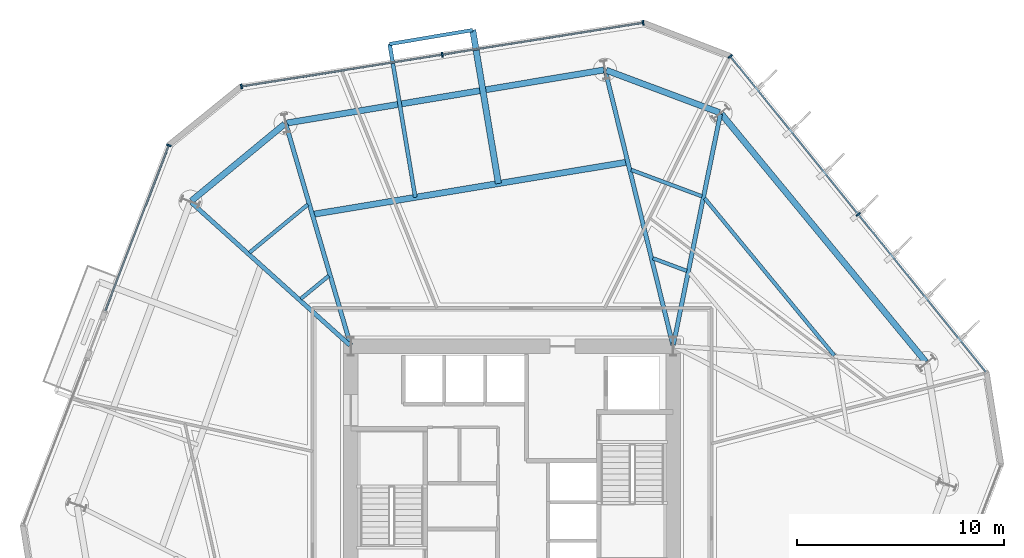
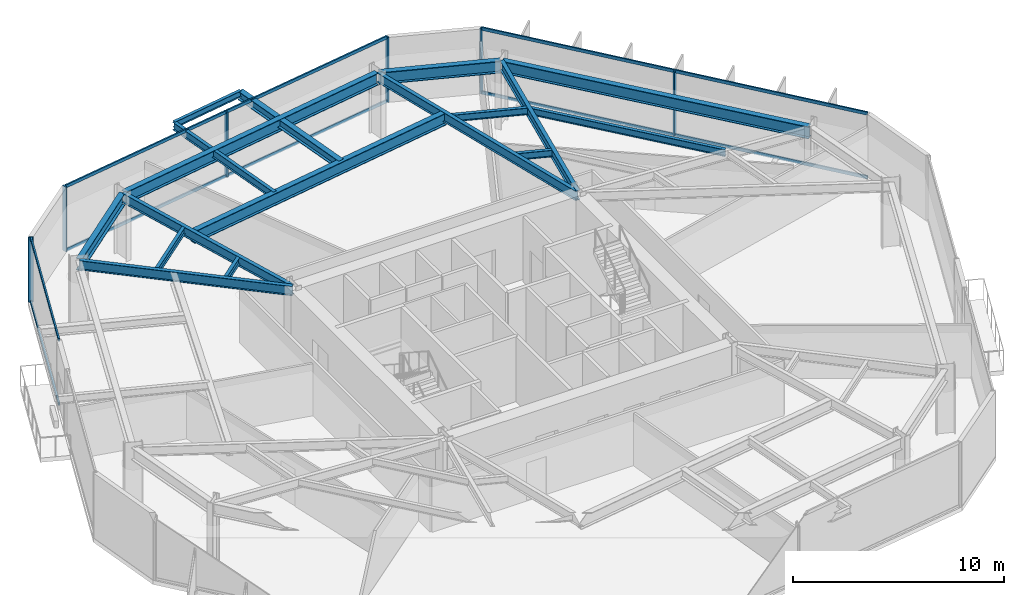
# One storey, part 5 of 11: 17 beams, 16 members, 3 elements without a shape of their own.
"""IFC4 building model written with IfcOpenShell, lengths in metres."""

from ifc_helpers import new_model, si_unit, direction, frame, origin, origin_2d, place, context, subcontext, project, spatial, rectangle, i_section, extrude, material, layer, layer_set, material_profile, profile_set, type_object, element, aggregate, save


model = new_model("IFC4")

# Units and contexts
model_context = context("Model", 3, precision=1e-05, world=origin(), true_north=direction((0.0, 1.0)))
body_context = subcontext(model_context, "Body", "Model", "MODEL_VIEW")
ifc_project = project(units=[si_unit("LENGTHUNIT", "METRE"), si_unit("AREAUNIT", "SQUARE_METRE"), si_unit("VOLUMEUNIT", "CUBIC_METRE"), si_unit("PLANEANGLEUNIT", "RADIAN"), si_unit("MASSUNIT", "GRAM", prefix="KILO")], contexts=[model_context])

# Site, building, storey
site_placement = place(None, origin())
site = spatial("IfcSite", under=ifc_project, at=site_placement, CompositionType="ELEMENT")
building_placement = place(site_placement, origin())
building = spatial("IfcBuilding", under=site, at=building_placement, Name="Kranzbogen Civic Tower", CompositionType="ELEMENT")
storey_placement = place(building_placement, frame((0.0, 0.0, 56.0)))
storey = spatial("IfcBuildingStorey", under=building, at=storey_placement, Name="L13", CompositionType="ELEMENT", Elevation=56.0)

# Beam
ifc_material_1 = material(Name="Steel S355", Category="steel")
ifc_material_profile_1 = material_profile(ifc_material_1, i_section(OverallWidth=0.18994140625, OverallDepth=0.449951171875, WebThickness=0.009521484375, FlangeThickness=0.0146484375, at=origin_2d()), Name="IPE 450")
ifc_profile_set_1 = profile_set([ifc_material_profile_1], Name="Steel S355")
beam_type_1 = type_object("IfcBeamType", Name="Braced Terrace Edge Beam IPE 450", PredefinedType="BEAM", material=ifc_profile_set_1)
beam_1_placement = place(storey_placement, frame((20.318115234375, 39.40087890625, 3.52490234375), z_axis=(-0.165067088303, 0.986282341097, 0.0), x_axis=(-0.986282341097, -0.165067088303, 0.0)))
element("IfcBeam", 1, at=beam_1_placement, inside=storey, type_object=beam_type_1, Name="L14 back-spanned terrace beam L14-TB2-2", PredefinedType="BEAM", context=body_context, shape_type="SweptSolid", body=[
    extrude(i_section(OverallWidth=0.18994140625, OverallDepth=0.449951171875, WebThickness=0.009521484375, FlangeThickness=0.0146484375, at=origin_2d()), origin(), (0.0, 0.0, 1.0), 7.525390625),
])

# Curtain wall, members
ifc_material_2 = material(Name="Pale Anodised Aluminium", Category="aluminium")
ifc_layer = layer(ifc_material_2, 0.219970703125, Name="Pale Anodised Aluminium")
ifc_layer_set = layer_set([ifc_layer], Name="Pale Anodised Aluminium")
curtain_wall_type = type_object("IfcCurtainWallType", Name="Zone 1 Stick Curtain Wall System CW-02", PredefinedType="USERDEFINED", material=ifc_layer_set)
curtain_wall_1_placement = place(storey_placement, origin())
curtain_wall_1 = element("IfcCurtainWall", 2, at=curtain_wall_1_placement, inside=storey, type_object=curtain_wall_type, Name="L13 curtain wall CW-L13-F1", ObjectType="STICK CURTAIN WALL", PredefinedType="USERDEFINED")
ifc_material_profile_2 = material_profile(ifc_material_2, rectangle(XDim=0.080078125, YDim=0.239990234375, at=origin_2d()), Name="ALU-M 80x240")
ifc_profile_set_2 = profile_set([ifc_material_profile_2], Name="Pale Anodised Aluminium")
member_type_1 = type_object("IfcMemberType", Name="Curtain Wall Mullion ALU-M 80x240", PredefinedType="MULLION", material=ifc_profile_set_2)
member_1_placement = place(storey_placement, frame((41.764892578125, 38.576416015625, 0.0), z_axis=(0.0, 0.0, 1.0), x_axis=(-0.629255050274, 0.777198868826, 0.0)))
member_1 = element("IfcMember", 3, at=member_1_placement, type_object=member_type_1, Name="CW-02 mullion 2", PredefinedType="MULLION", context=body_context, shape_type="SweptSolid", body=[
    extrude(rectangle(XDim=0.080078125, YDim=0.239990234375, at=origin_2d()), origin(), (0.0, 0.0, 1.0), 3.760009765625),
])
member_2_placement = place(storey_placement, frame((35.57177734375, 46.2255859375, 0.0), z_axis=(0.0, 0.0, 1.0), x_axis=(-0.629255050274, 0.777198868826, 0.0)))
member_2 = element("IfcMember", 4, at=member_2_placement, type_object=member_type_1, Name="CW-02 mullion 3", PredefinedType="MULLION", context=body_context, shape_type="SweptSolid", body=[
    extrude(rectangle(XDim=0.080078125, YDim=0.239990234375, at=origin_2d()), origin(), (0.0, 0.0, 1.0), 3.760009765625),
])

curtain_wall_2_placement = place(storey_placement, origin())
curtain_wall_2 = element("IfcCurtainWall", 5, at=curtain_wall_2_placement, inside=storey, type_object=curtain_wall_type, Name="L13 curtain wall CW-L13-F2", ObjectType="STICK CURTAIN WALL", PredefinedType="USERDEFINED")
member_3_placement = place(storey_placement, frame((31.346435546875, 47.84619140625, 0.0), z_axis=(0.0, 0.0, 1.0), x_axis=(-0.987686880029, -0.156443686412, 0.0)))
member_3 = element("IfcMember", 6, at=member_3_placement, type_object=member_type_1, Name="CW-02 mullion 1", PredefinedType="MULLION", context=body_context, shape_type="SweptSolid", body=[
    extrude(rectangle(XDim=0.080078125, YDim=0.239990234375, at=origin_2d()), origin(), (0.0, 0.0, 1.0), 3.760009765625),
])
member_4_placement = place(storey_placement, frame((21.625, 46.306396484375, 0.0), z_axis=(0.0, 0.0, 1.0), x_axis=(-0.987686880029, -0.156443686412, 0.0)))
member_4 = element("IfcMember", 7, at=member_4_placement, type_object=member_type_1, Name="CW-02 mullion 2", PredefinedType="MULLION", context=body_context, shape_type="SweptSolid", body=[
    extrude(rectangle(XDim=0.080078125, YDim=0.239990234375, at=origin_2d()), origin(), (0.0, 0.0, 1.0), 3.760009765625),
])
member_5_placement = place(storey_placement, frame((11.903564453125, 44.7666015625, 0.0), z_axis=(0.0, 0.0, 1.0), x_axis=(-0.987686880029, -0.156443686412, 0.0)))
member_5 = element("IfcMember", 8, at=member_5_placement, type_object=member_type_1, Name="CW-02 mullion 3", PredefinedType="MULLION", context=body_context, shape_type="SweptSolid", body=[
    extrude(rectangle(XDim=0.080078125, YDim=0.239990234375, at=origin_2d()), origin(), (0.0, 0.0, 1.0), 3.760009765625),
])

# Curtain wall, member
curtain_wall_3_placement = place(storey_placement, origin())
curtain_wall_3 = element("IfcCurtainWall", 9, at=curtain_wall_3_placement, inside=storey, type_object=curtain_wall_type, Name="L13 curtain wall CW-L13-F3-S1", ObjectType="STICK CURTAIN WALL", PredefinedType="USERDEFINED")
member_6_placement = place(storey_placement, frame((8.38720703125, 41.9189453125, 0.0), z_axis=(0.0, 0.0, 1.0), x_axis=(-0.358391745833, -0.93357129161, 0.0)))
member_6 = element("IfcMember", 10, at=member_6_placement, type_object=member_type_1, Name="CW-02 mullion 1", PredefinedType="MULLION", context=body_context, shape_type="SweptSolid", body=[
    extrude(rectangle(XDim=0.080078125, YDim=0.239990234375, at=origin_2d()), origin(), (0.0, 0.0, 1.0), 3.760009765625),
])

# Member
ifc_material_profile_3 = material_profile(ifc_material_2, rectangle(XDim=0.080078125, YDim=0.179931640625, at=origin_2d()), Name="ALU-T 80x180")
ifc_profile_set_3 = profile_set([ifc_material_profile_3], Name="Pale Anodised Aluminium")
member_type_2 = type_object("IfcMemberType", Name="Curtain Wall Transom ALU-T 80x180", PredefinedType="USERDEFINED", material=ifc_profile_set_3)
member_7_placement = place(storey_placement, frame((47.939208984375, 30.95068359375, 0.030029296875), z_axis=(-0.629249921832, 0.777203021015, 0.0), x_axis=(-0.777203021015, -0.629249921832, 0.0)))
member_7 = element("IfcMember", 11, at=member_7_placement, type_object=member_type_2, Name="CW-02 transom 1.1", ObjectType="TRANSOM", PredefinedType="USERDEFINED", context=body_context, shape_type="SweptSolid", body=[
    extrude(rectangle(XDim=0.080078125, YDim=0.179931640625, at=origin_2d()), origin(), (0.0, 0.0, 1.0), 9.781982421875),
])

member_8_placement = place(storey_placement, frame((47.939208984375, 30.95068359375, 3.72998046875), z_axis=(-0.629249921832, 0.777203021015, 0.0), x_axis=(-0.777203021015, -0.629249921832, 0.0)))
member_8 = element("IfcMember", 12, at=member_8_placement, type_object=member_type_2, Name="CW-02 transom 1.2", ObjectType="TRANSOM", PredefinedType="USERDEFINED", context=body_context, shape_type="SweptSolid", body=[
    extrude(rectangle(XDim=0.080078125, YDim=0.179931640625, at=origin_2d()), origin(), (0.0, 0.0, 1.0), 9.781982421875),
])

member_9_placement = place(storey_placement, frame((41.74609375, 38.599853515625, 0.030029296875), z_axis=(-0.629249921832, 0.777203021015, 0.0), x_axis=(-0.777203021015, -0.629249921832, 0.0)))
member_9 = element("IfcMember", 13, at=member_9_placement, type_object=member_type_2, Name="CW-02 transom 2.1", ObjectType="TRANSOM", PredefinedType="USERDEFINED", context=body_context, shape_type="SweptSolid", body=[
    extrude(rectangle(XDim=0.080078125, YDim=0.179931640625, at=origin_2d()), origin(), (0.0, 0.0, 1.0), 9.781982421875),
])

member_10_placement = place(storey_placement, frame((41.74609375, 38.599853515625, 3.72998046875), z_axis=(-0.629249921832, 0.777203021015, 0.0), x_axis=(-0.777203021015, -0.629249921832, 0.0)))
member_10 = element("IfcMember", 14, at=member_10_placement, type_object=member_type_2, Name="CW-02 transom 2.2", ObjectType="TRANSOM", PredefinedType="USERDEFINED", context=body_context, shape_type="SweptSolid", body=[
    extrude(rectangle(XDim=0.080078125, YDim=0.179931640625, at=origin_2d()), origin(), (0.0, 0.0, 1.0), 9.781982421875),
])

aggregate(curtain_wall_1, [member_1, member_2, member_7, member_8, member_9, member_10])

member_11_placement = place(storey_placement, frame((31.316650390625, 47.841552734375, 0.030029296875), z_axis=(-0.987689198973, -0.15642904536, 0.0), x_axis=(0.15642904536, -0.987689198973, 0.0)))
member_11 = element("IfcMember", 15, at=member_11_placement, type_object=member_type_2, Name="CW-02 transom 1.1", ObjectType="TRANSOM", PredefinedType="USERDEFINED", context=body_context, shape_type="SweptSolid", body=[
    extrude(rectangle(XDim=0.080078125, YDim=0.179931640625, at=origin_2d()), origin(), (0.0, 0.0, 1.0), 9.782470703125),
])

member_12_placement = place(storey_placement, frame((31.316650390625, 47.841552734375, 3.72998046875), z_axis=(-0.987689198973, -0.15642904536, 0.0), x_axis=(0.15642904536, -0.987689198973, 0.0)))
member_12 = element("IfcMember", 16, at=member_12_placement, type_object=member_type_2, Name="CW-02 transom 1.2", ObjectType="TRANSOM", PredefinedType="USERDEFINED", context=body_context, shape_type="SweptSolid", body=[
    extrude(rectangle(XDim=0.080078125, YDim=0.179931640625, at=origin_2d()), origin(), (0.0, 0.0, 1.0), 9.782470703125),
])

member_13_placement = place(storey_placement, frame((21.595458984375, 46.3017578125, 0.030029296875), z_axis=(-0.987689198973, -0.15642904536, 0.0), x_axis=(0.15642904536, -0.987689198973, 0.0)))
member_13 = element("IfcMember", 17, at=member_13_placement, type_object=member_type_2, Name="CW-02 transom 2.1", ObjectType="TRANSOM", PredefinedType="USERDEFINED", context=body_context, shape_type="SweptSolid", body=[
    extrude(rectangle(XDim=0.080078125, YDim=0.179931640625, at=origin_2d()), origin(), (0.0, 0.0, 1.0), 9.782470703125),
])

member_14_placement = place(storey_placement, frame((21.595458984375, 46.3017578125, 3.72998046875), z_axis=(-0.987689198973, -0.15642904536, 0.0), x_axis=(0.15642904536, -0.987689198973, 0.0)))
member_14 = element("IfcMember", 18, at=member_14_placement, type_object=member_type_2, Name="CW-02 transom 2.2", ObjectType="TRANSOM", PredefinedType="USERDEFINED", context=body_context, shape_type="SweptSolid", body=[
    extrude(rectangle(XDim=0.080078125, YDim=0.179931640625, at=origin_2d()), origin(), (0.0, 0.0, 1.0), 9.782470703125),
])

aggregate(curtain_wall_2, [member_3, member_4, member_5, member_11, member_12, member_13, member_14])

member_15_placement = place(storey_placement, frame((8.37646484375, 41.890869140625, 0.030029296875), z_axis=(-0.358389803544, -0.933572037239, 0.0), x_axis=(0.933572037239, -0.358389803544, 0.0)))
member_15 = element("IfcMember", 19, at=member_15_placement, type_object=member_type_2, Name="CW-02 transom 1.1", ObjectType="TRANSOM", PredefinedType="USERDEFINED", context=body_context, shape_type="SweptSolid", body=[
    extrude(rectangle(XDim=0.080078125, YDim=0.179931640625, at=origin_2d()), origin(), (0.0, 0.0, 1.0), 8.552001953125),
])

member_16_placement = place(storey_placement, frame((8.37646484375, 41.890869140625, 3.72998046875), z_axis=(-0.358389803544, -0.933572037239, 0.0), x_axis=(0.933572037239, -0.358389803544, 0.0)))
member_16 = element("IfcMember", 20, at=member_16_placement, type_object=member_type_2, Name="CW-02 transom 1.2", ObjectType="TRANSOM", PredefinedType="USERDEFINED", context=body_context, shape_type="SweptSolid", body=[
    extrude(rectangle(XDim=0.080078125, YDim=0.179931640625, at=origin_2d()), origin(), (0.0, 0.0, 1.0), 8.552001953125),
])

aggregate(curtain_wall_3, [member_6, member_15, member_16])

# Beams
ifc_material_profile_4 = material_profile(ifc_material_1, i_section(OverallWidth=0.300048828125, OverallDepth=0.5, WebThickness=0.014404296875, FlangeThickness=0.028076171875, at=origin_2d()), Name="HEB 500")
ifc_profile_set_4 = profile_set([ifc_material_profile_4], Name="Steel S355")
beam_type_2 = type_object("IfcBeamType", Name="Perimeter Tube Spandrel Beam HEB 500", PredefinedType="SPANDREL", material=ifc_profile_set_4)
beam_2_placement = place(storey_placement, frame((24.343017578125, 40.070068359375, 3.5), z_axis=(-0.165013923872, 0.986291237378, 0.0), x_axis=(-0.986291237378, -0.165013923872, 0.0)))
element("IfcBeam", 21, at=beam_2_placement, inside=storey, type_object=beam_type_2, Name="L14 back-spanned terrace beam L14-TB2-1", PredefinedType="SPANDREL", context=body_context, shape_type="SweptSolid", body=[
    extrude(i_section(OverallWidth=0.300048828125, OverallDepth=0.5, WebThickness=0.014404296875, FlangeThickness=0.028076171875, at=origin_2d()), origin(), (0.0, 0.0, 1.0), 7.5322265625),
])
ifc_material_profile_5 = material_profile(ifc_material_1, i_section(OverallWidth=0.300048828125, OverallDepth=0.699951171875, WebThickness=0.01708984375, FlangeThickness=0.031982421875, at=origin_2d()), Name="HEB 700")
ifc_profile_set_5 = profile_set([ifc_material_profile_5], Name="Steel S355")
beam_type_3 = type_object("IfcBeamType", Name="Perimeter Tube Spandrel Beam HEB 700", PredefinedType="SPANDREL", material=ifc_profile_set_5)
beam_3_placement = place(storey_placement, frame((45.033935546875, 31.431884765625, 3.409912109375), z_axis=(-0.636074572579, 0.771627590304, 0.0), x_axis=(-0.771627590304, -0.636074572579, 0.0)))
element("IfcBeam", 22, at=beam_3_placement, inside=storey, type_object=beam_type_3, Name="L13 perimeter spandrel beam 08", PredefinedType="SPANDREL", context=body_context, shape_type="SweptSolid", body=[
    extrude(i_section(OverallWidth=0.300048828125, OverallDepth=0.699951171875, WebThickness=0.01708984375, FlangeThickness=0.031982421875, at=origin_2d()), origin(), (0.0, 0.0, 1.0), 15.5595703125),
])
beam_4_placement = place(storey_placement, frame((35.04296875, 43.5048828125, 3.409912109375), z_axis=(-0.936647646965, 0.350273015568, 0.0), x_axis=(-0.350273015568, -0.936647646965, 0.0)))
element("IfcBeam", 23, at=beam_4_placement, inside=storey, type_object=beam_type_3, Name="L13 perimeter spandrel beam 09", PredefinedType="SPANDREL", context=body_context, shape_type="SweptSolid", body=[
    extrude(i_section(OverallWidth=0.300048828125, OverallDepth=0.699951171875, WebThickness=0.01708984375, FlangeThickness=0.031982421875, at=origin_2d()), origin(), (0.0, 0.0, 1.0), 5.852783203125),
])
beam_5_placement = place(storey_placement, frame((29.446044921875, 45.56591796875, 3.409912109375), z_axis=(-0.986285563243, -0.165047834697, 0.0), x_axis=(0.165047834697, -0.986285563243, 0.0)))
element("IfcBeam", 24, at=beam_5_placement, inside=storey, type_object=beam_type_3, Name="L13 perimeter spandrel beam 10", PredefinedType="SPANDREL", context=body_context, shape_type="SweptSolid", body=[
    extrude(i_section(OverallWidth=0.300048828125, OverallDepth=0.699951171875, WebThickness=0.01708984375, FlangeThickness=0.031982421875, at=origin_2d()), origin(), (0.0, 0.0, 1.0), 15.558349609375),
])
beam_6_placement = place(storey_placement, frame((13.99609375, 42.949951171875, 3.409912109375), z_axis=(-0.77168336865, -0.636006901337, 0.0), x_axis=(0.636006901337, -0.77168336865, 0.0)))
element("IfcBeam", 25, at=beam_6_placement, inside=storey, type_object=beam_type_3, Name="L13 perimeter spandrel beam 11", PredefinedType="SPANDREL", context=body_context, shape_type="SweptSolid", body=[
    extrude(i_section(OverallWidth=0.300048828125, OverallDepth=0.699951171875, WebThickness=0.01708984375, FlangeThickness=0.031982421875, at=origin_2d()), origin(), (0.0, 0.0, 1.0), 5.853515625),
])
beam_7_placement = place(storey_placement, frame((30.60498046875, 41.110107421875, 3.39990234375), z_axis=(-0.9864781902, -0.163892587571, 0.0), x_axis=(0.163892587571, -0.9864781902, 0.0)))
element("IfcBeam", 26, at=beam_7_placement, inside=storey, type_object=beam_type_3, Name="L14 balcony back-span header girder L14-TB2", PredefinedType="SPANDREL", context=body_context, shape_type="SweptSolid", body=[
    extrude(i_section(OverallWidth=0.300048828125, OverallDepth=0.699951171875, WebThickness=0.01708984375, FlangeThickness=0.031982421875, at=origin_2d()), origin(), (0.0, 0.0, 1.0), 15.480224609375),
])
ifc_material_profile_6 = material_profile(ifc_material_1, i_section(OverallWidth=0.2099609375, OverallDepth=0.550048828125, WebThickness=0.010986328125, FlangeThickness=0.01708984375, at=origin_2d()), Name="IPE 550")
ifc_profile_set_6 = profile_set([ifc_material_profile_6], Name="Steel S355")
beam_type_4 = type_object("IfcBeamType", Name="Radial Tower Floor Girder IPE 550", PredefinedType="BEAM", material=ifc_profile_set_6)
beam_8_placement = place(storey_placement, frame((35.0869140625, 43.425048828125, 3.485107421875), z_axis=(-0.199633433694, -0.979870650725, 0.0), x_axis=(0.979870650725, -0.199633433694, 0.0)))
element("IfcBeam", 27, at=beam_8_placement, inside=storey, type_object=beam_type_4, Name="L13 radial floor girder 09", PredefinedType="BEAM", context=body_context, shape_type="SweptSolid", body=[
    extrude(i_section(OverallWidth=0.2099609375, OverallDepth=0.550048828125, WebThickness=0.010986328125, FlangeThickness=0.01708984375, at=origin_2d()), origin(), (0.0, 0.0, 1.0), 11.3955078125),
])
beam_9_placement = place(storey_placement, frame((29.51904296875, 45.51806640625, 3.485107421875), z_axis=(0.239215348776, -0.970966537482, 0.0), x_axis=(0.970966537482, 0.239215348776, 0.0)))
element("IfcBeam", 28, at=beam_9_placement, inside=storey, type_object=beam_type_4, Name="L13 radial floor girder 10", PredefinedType="BEAM", context=body_context, shape_type="SweptSolid", body=[
    extrude(i_section(OverallWidth=0.2099609375, OverallDepth=0.550048828125, WebThickness=0.010986328125, FlangeThickness=0.01708984375, at=origin_2d()), origin(), (0.0, 0.0, 1.0), 13.656494140625),
])
beam_10_placement = place(storey_placement, frame((14.05908203125, 42.929931640625, 3.485107421875), z_axis=(0.280944131918, -0.959724124288, 0.0), x_axis=(0.959724124288, 0.280944131918, 0.0)))
element("IfcBeam", 29, at=beam_10_placement, inside=storey, type_object=beam_type_4, Name="L13 radial floor girder 11", PredefinedType="BEAM", context=body_context, shape_type="SweptSolid", body=[
    extrude(i_section(OverallWidth=0.2099609375, OverallDepth=0.550048828125, WebThickness=0.010986328125, FlangeThickness=0.01708984375, at=origin_2d()), origin(), (0.0, 0.0, 1.0), 11.11962890625),
])
beam_11_placement = place(storey_placement, frame((9.47802734375, 39.14892578125, 3.485107421875), z_axis=(0.743311776894, -0.668945141496, 0.0), x_axis=(0.668945141496, 0.743311776894, 0.0)))
element("IfcBeam", 30, at=beam_11_placement, inside=storey, type_object=beam_type_4, Name="L13 radial floor girder 12", PredefinedType="BEAM", context=body_context, shape_type="SweptSolid", body=[
    extrude(i_section(OverallWidth=0.2099609375, OverallDepth=0.550048828125, WebThickness=0.010986328125, FlangeThickness=0.01708984375, at=origin_2d()), origin(), (0.0, 0.0, 1.0), 10.328125),
])
ifc_material_profile_7 = material_profile(ifc_material_1, i_section(OverallWidth=0.169921875, OverallDepth=0.360107421875, WebThickness=0.008056640625, FlangeThickness=0.0126953125, at=origin_2d()), Name="IPE 360")
ifc_profile_set_7 = profile_set([ifc_material_profile_7], Name="Steel S355")
beam_type_5 = type_object("IfcBeamType", Name="Secondary Composite Floor Joist IPE 360", PredefinedType="JOIST", material=ifc_profile_set_7)
beam_12_placement = place(storey_placement, frame((23.10009765625, 47.4990234375, 3.570068359375), z_axis=(-0.986181273718, -0.165669838435, 0.0), x_axis=(0.165669838435, -0.986181273718, 0.0)))
element("IfcBeam", 31, at=beam_12_placement, inside=storey, type_object=beam_type_5, Name="L14 terrace outer edge trimmer L14-TB2", PredefinedType="JOIST", context=body_context, shape_type="SweptSolid", body=[
    extrude(i_section(OverallWidth=0.169921875, OverallDepth=0.360107421875, WebThickness=0.008056640625, FlangeThickness=0.0126953125, at=origin_2d()), origin(), (0.0, 0.0, 1.0), 4.08056640625),
])
ifc_material_profile_8 = material_profile(ifc_material_1, i_section(OverallWidth=0.179931640625, OverallDepth=0.39990234375, WebThickness=0.008544921875, FlangeThickness=0.013427734375, at=origin_2d()), Name="IPE 400")
ifc_profile_set_8 = profile_set([ifc_material_profile_8], Name="Steel S355")
beam_type_6 = type_object("IfcBeamType", Name="Secondary Composite Floor Joist IPE 400", PredefinedType="JOIST", material=ifc_profile_set_8)
beam_13_placement = place(storey_placement, frame((40.60302734375, 31.740966796875, 3.56005859375), z_axis=(-0.636094561772, 0.771611112209, 0.0), x_axis=(-0.771611112209, -0.636094561772, 0.0)))
element("IfcBeam", 32, at=beam_13_placement, inside=storey, type_object=beam_type_6, Name="L13 secondary floor joist 1.08", PredefinedType="JOIST", context=body_context, shape_type="SweptSolid", body=[
    extrude(i_section(OverallWidth=0.179931640625, OverallDepth=0.39990234375, WebThickness=0.008544921875, FlangeThickness=0.013427734375, at=origin_2d()), origin(), (0.0, 0.0, 1.0), 9.874267578125),
])
beam_14_placement = place(storey_placement, frame((34.196044921875, 39.449951171875, 3.56005859375), z_axis=(-0.936622008794, 0.350341565678, 0.0), x_axis=(-0.350341565678, -0.936622008794, 0.0)))
element("IfcBeam", 33, at=beam_14_placement, inside=storey, type_object=beam_type_6, Name="L13 secondary floor joist 1.09", PredefinedType="JOIST", context=body_context, shape_type="SweptSolid", body=[
    extrude(i_section(OverallWidth=0.179931640625, OverallDepth=0.39990234375, WebThickness=0.008544921875, FlangeThickness=0.013427734375, at=origin_2d()), origin(), (0.0, 0.0, 1.0), 3.662109375),
])
beam_15_placement = place(storey_placement, frame((33.4609375, 35.839111328125, 3.56005859375), z_axis=(-0.936735458815, 0.350038112495, 0.0), x_axis=(-0.350038112495, -0.936735458815, 0.0)))
element("IfcBeam", 34, at=beam_15_placement, inside=storey, type_object=beam_type_6, Name="L13 secondary floor joist 2.09", PredefinedType="JOIST", context=body_context, shape_type="SweptSolid", body=[
    extrude(i_section(OverallWidth=0.179931640625, OverallDepth=0.39990234375, WebThickness=0.008544921875, FlangeThickness=0.013427734375, at=origin_2d()), origin(), (0.0, 0.0, 1.0), 1.750732421875),
])
beam_16_placement = place(storey_placement, frame((15.116943359375, 39.052978515625, 3.56005859375), z_axis=(-0.771712720426, -0.635971286406, 0.0), x_axis=(0.635971286406, -0.771712720426, 0.0)))
element("IfcBeam", 35, at=beam_16_placement, inside=storey, type_object=beam_type_6, Name="L13 secondary floor joist 1.11", PredefinedType="JOIST", context=body_context, shape_type="SweptSolid", body=[
    extrude(i_section(OverallWidth=0.179931640625, OverallDepth=0.39990234375, WebThickness=0.008544921875, FlangeThickness=0.013427734375, at=origin_2d()), origin(), (0.0, 0.0, 1.0), 3.661865234375),
])
beam_17_placement = place(storey_placement, frame((16.1279296875, 35.60107421875, 3.56005859375), z_axis=(-0.771773324836, -0.635897739477, 0.0), x_axis=(0.635897739477, -0.771773324836, 0.0)))
element("IfcBeam", 36, at=beam_17_placement, inside=storey, type_object=beam_type_6, Name="L13 secondary floor joist 2.11", PredefinedType="JOIST", context=body_context, shape_type="SweptSolid", body=[
    extrude(i_section(OverallWidth=0.179931640625, OverallDepth=0.39990234375, WebThickness=0.008544921875, FlangeThickness=0.013427734375, at=origin_2d()), origin(), (0.0, 0.0, 1.0), 1.751953125),
])

save(model, "model.ifc")
